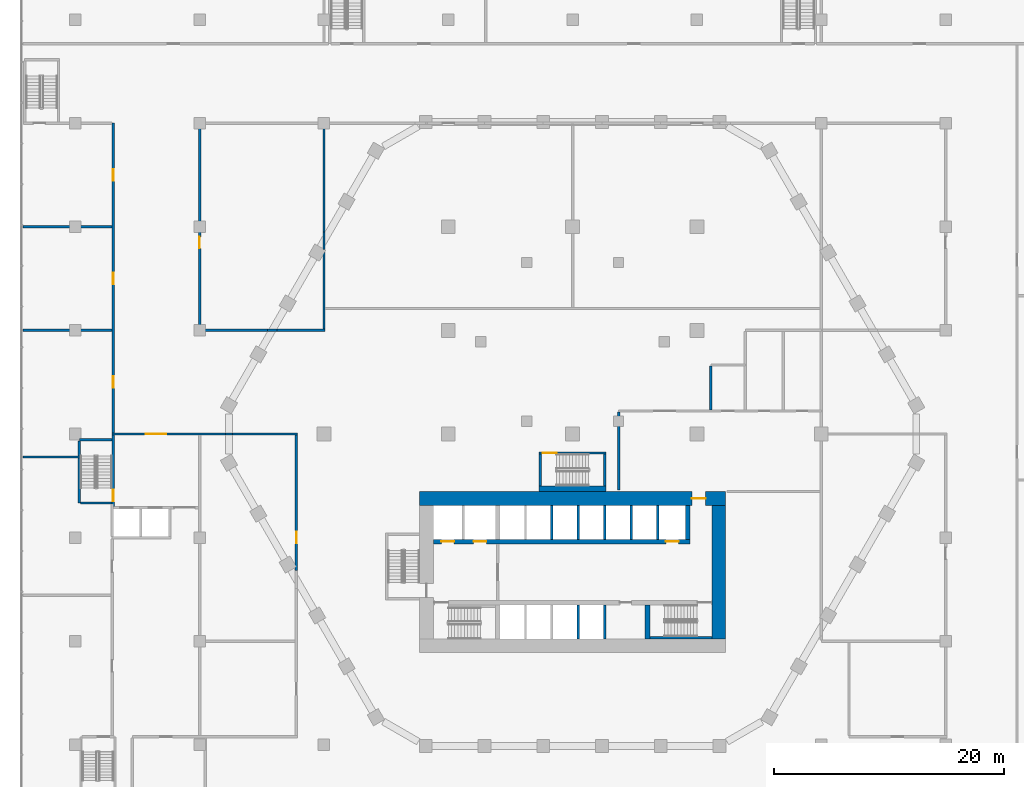
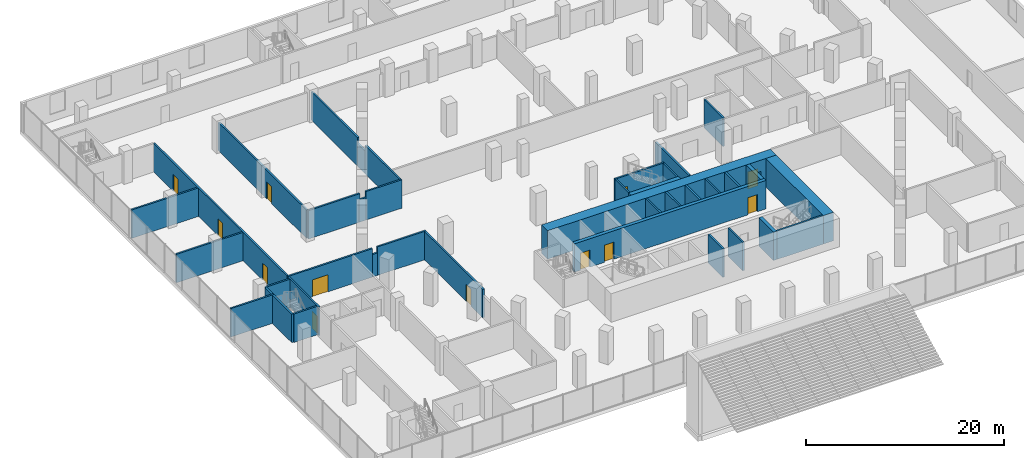
# One storey, part 15 of 45: 37 walls, 12 doors, 12 openings.
"""IFC4 building model written with IfcOpenShell, lengths in metres."""

from ifc_helpers import new_model, si_unit, direction, frame, frame_2d, origin, place, context, subcontext, project, spatial, rectangle, extrude, material, layer, layer_set, type_object, element, fill, save


model = new_model("IFC4")

# Units and contexts
model_context = context("Model", 3, precision=1e-05, world=origin(), true_north=direction((0.0, 1.0)))
body_context = subcontext(model_context, "Body", "Model", "MODEL_VIEW")
ifc_project = project(units=[si_unit("LENGTHUNIT", "METRE"), si_unit("AREAUNIT", "SQUARE_METRE"), si_unit("VOLUMEUNIT", "CUBIC_METRE"), si_unit("PLANEANGLEUNIT", "RADIAN"), si_unit("MASSUNIT", "GRAM", prefix="KILO")], contexts=[model_context])

# Site, building, storey
site_placement = place(None, origin())
site = spatial("IfcSite", under=ifc_project, at=site_placement, CompositionType="ELEMENT")
building_placement = place(site_placement, origin())
building = spatial("IfcBuilding", under=site, at=building_placement, Name="Beryl Residences", CompositionType="ELEMENT")
storey_placement = place(building_placement, frame((0.0, 0.0, 5.0)))
storey = spatial("IfcBuildingStorey", under=building, at=storey_placement, Name="L01", CompositionType="ELEMENT", Elevation=5.0)

# Walls
ifc_material_1 = material(Name="Double stud gypsum board wall")
ifc_layer_1 = layer(ifc_material_1, 0.199951171875)
ifc_layer_set_1 = layer_set([ifc_layer_1], Name="PT10 tenancy wall 200 mm")
wall_type_1 = type_object("IfcWallType", Name="PT10 tenancy wall 200 mm", PredefinedType="PARTITIONING", material=ifc_layer_set_1)
wall_1_placement = place(storey_placement, frame((-47.75, -2.0, 0.0), z_axis=(0.0, 0.0, 1.0), x_axis=(1.0, 0.0, 0.0)))
element("IfcWall", 1, at=wall_1_placement, inside=storey, type_object=wall_type_1, Name="Wall PT10 L01 007", PredefinedType="PARTITIONING", context=body_context, shape_type="SweptSolid", body=[
    extrude(rectangle(XDim=5.0, YDim=0.199951171875, at=frame_2d((2.5, 0.0))), origin(), (0.0, 0.0, 1.0), 3.5),
])
wall_2_placement = place(storey_placement, frame((-47.75, 9.0, 0.0), z_axis=(0.0, 0.0, 1.0), x_axis=(1.0, 0.0, 0.0)))
element("IfcWall", 2, at=wall_2_placement, inside=storey, type_object=wall_type_1, Name="Wall PT10 L01 011", PredefinedType="PARTITIONING", context=body_context, shape_type="SweptSolid", body=[
    extrude(rectangle(XDim=7.75, YDim=0.199951171875, at=frame_2d((3.875, 0.0))), origin(), (0.0, 0.0, 1.0), 3.5),
])
wall_3_placement = place(storey_placement, frame((-32.39990234375, 9.0, 0.0), z_axis=(0.0, 0.0, 1.0), x_axis=(1.0, 0.0, 0.0)))
element("IfcWall", 3, at=wall_3_placement, inside=storey, type_object=wall_type_1, Name="Wall PT10 L01 012", PredefinedType="PARTITIONING", context=body_context, shape_type="SweptSolid", body=[
    extrude(rectangle(XDim=5.9990234375, YDim=0.199951171875, at=frame_2d((2.99951171875, 0.0))), origin(), (0.0, 0.0, 1.0), 3.5),
])
wall_4_placement = place(storey_placement, frame((-26.5009765625, 9.0, 0.0), z_axis=(0.0, 0.0, 1.0), x_axis=(1.0, 0.0, 0.0)))
element("IfcWall", 4, at=wall_4_placement, inside=storey, type_object=wall_type_1, Name="Wall PT10 L01 013", PredefinedType="PARTITIONING", context=body_context, shape_type="SweptSolid", body=[
    extrude(rectangle(XDim=0.80908203125, YDim=0.199951171875, at=frame_2d((0.404541015625, 0.0))), origin(), (0.0, 0.0, 1.0), 2.77001953125),
])
wall_5_placement = place(storey_placement, frame((-25.69189453125, 9.0, 0.0), z_axis=(0.0, 0.0, 1.0), x_axis=(1.0, 0.0, 0.0)))
element("IfcWall", 5, at=wall_5_placement, inside=storey, type_object=wall_type_1, Name="Wall PT10 L01 014", PredefinedType="PARTITIONING", context=body_context, shape_type="SweptSolid", body=[
    extrude(rectangle(XDim=4.19189453125, YDim=0.199951171875, at=frame_2d((2.095947265625, 0.0))), origin(), (0.0, 0.0, 1.0), 3.5),
])
wall_6_placement = place(storey_placement, frame((-47.75, 18.0, 0.0), z_axis=(0.0, 0.0, 1.0), x_axis=(1.0, 0.0, 0.0)))
element("IfcWall", 6, at=wall_6_placement, inside=storey, type_object=wall_type_1, Name="Wall PT10 L01 017", PredefinedType="PARTITIONING", context=body_context, shape_type="SweptSolid", body=[
    extrude(rectangle(XDim=7.75, YDim=0.199951171875, at=frame_2d((3.875, 0.0))), origin(), (0.0, 0.0, 1.0), 3.5),
])

# Wall, opening, door
wall_7_placement = place(storey_placement, frame((-32.39990234375, 9.10009765625, 0.0), z_axis=(0.0, 0.0, 1.0), x_axis=(0.0, 1.0, 0.0)))
wall_7 = element("IfcWall", 7, at=wall_7_placement, inside=storey, type_object=wall_type_1, Name="Wall PT10 L01 033", PredefinedType="PARTITIONING", context=body_context, shape_type="SweptSolid", body=[
    extrude(rectangle(XDim=17.7998046875, YDim=0.199951171875, at=frame_2d((8.89990234375, 0.0))), origin(), (0.0, 0.0, 1.0), 3.5),
])
opening_1_placement = place(wall_7_placement, frame((8.02490234375, 0.0, 0.0), z_axis=(0.0, 0.0, 1.0), x_axis=(-1.0, 0.0, 0.0)))
opening_1 = element("IfcOpeningElement", 8, at=opening_1_placement, cuts=wall_7, Name="Opening L01-18", PredefinedType="OPENING", context=body_context, shape_type="SweptSolid", body=[
    extrude(rectangle(XDim=1.0, YDim=2.10009765625, at=frame_2d((0.5, 1.050048828125))), frame((0.0, 0.10986328125, 0.0), z_axis=(0.0, -1.0, 0.0), x_axis=(1.0, 0.0, 0.0)), (0.0, 0.0, 1.0), 0.219970703125),
])
ifc_material_2 = material(Name="Timber door leaf", Category="wood")
door_type_1 = type_object("IfcDoorType", Name="D9 corridor door 1000 x 2100 mm", OperationType="SINGLE_SWING_LEFT", PredefinedType="DOOR", material=ifc_material_2)
door_1_placement = place(opening_1_placement, origin())
door_1 = element("IfcDoor", 9, at=door_1_placement, inside=storey, type_object=door_type_1, Name="Door L01-18 L01 001", OperationType="SINGLE_SWING_LEFT", OverallHeight=2.10009765625, OverallWidth=1.0, PredefinedType="DOOR", context=body_context, shape_type="SweptSolid", body=[
    extrude(rectangle(XDim=1.0, YDim=2.10009765625, at=frame_2d((0.5, 1.050048828125))), frame((0.0, 0.02490234375, 0.0), z_axis=(0.0, -1.0, 0.0), x_axis=(1.0, 0.0, 0.0)), (0.0, 0.0, 1.0), 0.050048828125),
])
fill(opening_1, door_1)

wall_8_placement = place(storey_placement, frame((-24.0, -11.85791015625, 0.0), z_axis=(0.0, 0.0, 1.0), x_axis=(0.0, 1.0, 0.0)))
wall_8 = element("IfcWall", 10, at=wall_8_placement, inside=storey, type_object=wall_type_1, Name="Wall PT10 L01 037", PredefinedType="PARTITIONING", context=body_context, shape_type="SweptSolid", body=[
    extrude(rectangle(XDim=11.7578125, YDim=0.199951171875, at=frame_2d((5.87890625, 0.0))), origin(), (0.0, 0.0, 1.0), 3.5),
])
opening_2_placement = place(wall_8_placement, frame((2.35595703125, 0.0, 0.0)))
opening_2 = element("IfcOpeningElement", 11, at=opening_2_placement, cuts=wall_8, Name="Opening L01-11", PredefinedType="OPENING", context=body_context, shape_type="SweptSolid", body=[
    extrude(rectangle(XDim=1.0, YDim=2.10009765625, at=frame_2d((0.5, 1.050048828125))), frame((0.0, 0.10986328125, 0.0), z_axis=(0.0, -1.0, 0.0), x_axis=(1.0, 0.0, 0.0)), (0.0, 0.0, 1.0), 0.219970703125),
])
door_2_placement = place(opening_2_placement, origin())
door_2 = element("IfcDoor", 12, at=door_2_placement, inside=storey, type_object=door_type_1, Name="Door L01-11 L01 001", OperationType="SINGLE_SWING_LEFT", OverallHeight=2.10009765625, OverallWidth=1.0, PredefinedType="DOOR", context=body_context, shape_type="SweptSolid", body=[
    extrude(rectangle(XDim=1.0, YDim=2.10009765625, at=frame_2d((0.5, 1.050048828125))), frame((0.0, 0.02490234375, 0.0), z_axis=(0.0, -1.0, 0.0), x_axis=(1.0, 0.0, 0.0)), (0.0, 0.0, 1.0), 0.050048828125),
])
fill(opening_2, door_2)

# Walls
wall_9_placement = place(storey_placement, frame((-21.60009765625, 9.10009765625, 0.0), z_axis=(0.0, 0.0, 1.0), x_axis=(0.0, 1.0, 0.0)))
element("IfcWall", 13, at=wall_9_placement, inside=storey, type_object=wall_type_1, Name="Wall PT10 L01 038", PredefinedType="PARTITIONING", context=body_context, shape_type="SweptSolid", body=[
    extrude(rectangle(XDim=6.914794921875, YDim=0.199951171875, at=frame_2d((3.45751953125, 0.0))), origin(), (0.0, 0.0, 1.0), 3.5),
])
wall_10_placement = place(storey_placement, frame((-21.60009765625, 16.014892578125, 0.0), z_axis=(0.0, 0.0, 1.0), x_axis=(0.0, 1.0, 0.0)))
element("IfcWall", 14, at=wall_10_placement, inside=storey, type_object=wall_type_1, Name="Wall PT10 L01 039", PredefinedType="PARTITIONING", context=body_context, shape_type="SweptSolid", body=[
    extrude(rectangle(XDim=1.546142578125, YDim=0.199951171875, at=frame_2d((0.77294921875, 0.0))), origin(), (0.0, 0.0, 1.0), 2.77001953125),
])
wall_11_placement = place(storey_placement, frame((-21.60009765625, 17.56103515625, 0.0), z_axis=(0.0, 0.0, 1.0), x_axis=(0.0, 1.0, 0.0)))
element("IfcWall", 15, at=wall_11_placement, inside=storey, type_object=wall_type_1, Name="Wall PT10 L01 040", PredefinedType="PARTITIONING", context=body_context, shape_type="SweptSolid", body=[
    extrude(rectangle(XDim=9.3388671875, YDim=0.199951171875, at=frame_2d((4.66943359375, 0.0))), origin(), (0.0, 0.0, 1.0), 3.5),
])
ifc_material_3 = material(Name="Cement board with tiles")
ifc_layer_2 = layer(ifc_material_3, 0.199951171875)
ifc_layer_set_2 = layer_set([ifc_layer_2], Name="PT11-200 wet area wall 200 mm")
wall_type_2 = type_object("IfcWallType", Name="PT11-200 wet area wall 200 mm", PredefinedType="PARTITIONING", material=ifc_layer_set_2)
wall_12_placement = place(storey_placement, frame((12.0, 2.10009765625, 0.0), z_axis=(0.0, 0.0, 1.0), x_axis=(0.0, 1.0, 0.0)))
element("IfcWall", 16, at=wall_12_placement, inside=storey, type_object=wall_type_2, Name="Wall PT11-200 L01 006", PredefinedType="PARTITIONING", context=body_context, shape_type="SweptSolid", body=[
    extrude(rectangle(XDim=3.7998046875, YDim=0.199951171875, at=frame_2d((1.89990234375, 0.0))), origin(), (0.0, 0.0, 1.0), 3.5),
])

# Wall, opening, door
ifc_material_4 = material(Name="Double stud gypsum board wall")
ifc_layer_3 = layer(ifc_material_4, 0.199951171875)
ifc_layer_set_3 = layer_set([ifc_layer_3], Name="PT4 corridor wall 200 mm double stud")
wall_type_3 = type_object("IfcWallType", Name="PT4 corridor wall 200 mm double stud", PredefinedType="PARTITIONING", material=ifc_layer_set_3)
wall_13_placement = place(storey_placement, frame((-40.0, 0.0, 0.0), z_axis=(0.0, 0.0, 1.0), x_axis=(1.0, 0.0, 0.0)))
wall_13 = element("IfcWall", 17, at=wall_13_placement, inside=storey, type_object=wall_type_3, Name="Wall PT4 L01 003", PredefinedType="PARTITIONING", context=body_context, shape_type="SweptSolid", body=[
    extrude(rectangle(XDim=9.85107421875, YDim=0.199951171875, at=frame_2d((4.925537109375, 0.0))), origin(), (0.0, 0.0, 1.0), 3.5),
])
opening_3_placement = place(wall_13_placement, frame((2.902099609375, 0.0, 0.0)))
opening_3 = element("IfcOpeningElement", 18, at=opening_3_placement, cuts=wall_13, Name="Opening L01-26", PredefinedType="OPENING", context=body_context, shape_type="SweptSolid", body=[
    extrude(rectangle(XDim=1.800048828125, YDim=2.10009765625, at=frame_2d((0.89990234375, 1.050048828125))), frame((0.0, 0.10986328125, 0.0), z_axis=(0.0, -1.0, 0.0), x_axis=(1.0, 0.0, 0.0)), (0.0, 0.0, 1.0), 0.219970703125),
])
ifc_material_5 = material(Name="Timber door leaf", Category="wood")
door_type_2 = type_object("IfcDoorType", Name="D20 corridor door 1800 x 2100 mm", OperationType="DOUBLE_DOOR_SINGLE_SWING", PredefinedType="DOOR", material=ifc_material_5)
door_3_placement = place(opening_3_placement, origin())
door_3 = element("IfcDoor", 19, at=door_3_placement, inside=storey, type_object=door_type_2, Name="Door L01-26 L01 001", OperationType="DOUBLE_DOOR_SINGLE_SWING", OverallHeight=2.10009765625, OverallWidth=1.800048828125, PredefinedType="DOOR", context=body_context, shape_type="SweptSolid", body=[
    extrude(rectangle(XDim=1.800048828125, YDim=2.10009765625, at=frame_2d((0.89990234375, 1.050048828125))), frame((0.0, 0.02490234375, 0.0), z_axis=(0.0, -1.0, 0.0), x_axis=(1.0, 0.0, 0.0)), (0.0, 0.0, 1.0), 0.050048828125),
])
fill(opening_3, door_3)

# Walls
wall_14_placement = place(storey_placement, frame((-30.14892578125, 0.0, 0.0), z_axis=(0.0, 0.0, 1.0), x_axis=(1.0, 0.0, 0.0)))
element("IfcWall", 20, at=wall_14_placement, inside=storey, type_object=wall_type_3, Name="Wall PT4 L01 004", PredefinedType="PARTITIONING", context=body_context, shape_type="SweptSolid", body=[
    extrude(rectangle(XDim=0.600830078125, YDim=0.199951171875, at=frame_2d((0.30029296875, 0.0))), origin(), (0.0, 0.0, 1.0), 2.77001953125),
])
wall_15_placement = place(storey_placement, frame((-29.548095703125, 0.0, 0.0), z_axis=(0.0, 0.0, 1.0), x_axis=(1.0, 0.0, 0.0)))
element("IfcWall", 21, at=wall_15_placement, inside=storey, type_object=wall_type_3, Name="Wall PT4 L01 005", PredefinedType="PARTITIONING", context=body_context, shape_type="SweptSolid", body=[
    extrude(rectangle(XDim=5.648193359375, YDim=0.199951171875, at=frame_2d((2.82421875, 0.0))), origin(), (0.0, 0.0, 1.0), 3.5),
])
wall_16_placement = place(storey_placement, frame((4.0, -4.8798828125, 0.0), z_axis=(0.0, 0.0, 1.0), x_axis=(0.0, 1.0, 0.0)))
element("IfcWall", 22, at=wall_16_placement, inside=storey, type_object=wall_type_3, Name="Wall PT4 L01 008", PredefinedType="PARTITIONING", context=body_context, shape_type="SweptSolid", body=[
    extrude(rectangle(XDim=6.77978515625, YDim=0.199951171875, at=frame_2d((3.389892578125, 0.0))), origin(), (0.0, 0.0, 1.0), 3.5),
])

# Wall, opening, door
ifc_material_6 = material(Name="Concrete C40/50", Category="concrete")
ifc_layer_4 = layer(ifc_material_6, 0.199951171875)
ifc_layer_set_4 = layer_set([ifc_layer_4], Name="PT5 stair enclosure wall 200 mm reinforced concrete C40/50")
wall_type_4 = type_object("IfcWallType", Name="PT5 stair enclosure wall 200 mm reinforced concrete C40/50", PredefinedType="SOLIDWALL", material=ifc_layer_set_4)
wall_17_placement = place(storey_placement, frame((-2.89990234375, -1.64990234375, 0.0), z_axis=(0.0, 0.0, 1.0), x_axis=(1.0, 0.0, 0.0)))
wall_17 = element("IfcWall", 23, at=wall_17_placement, inside=storey, type_object=wall_type_4, Name="Wall PT5 L01 001", PredefinedType="SOLIDWALL", context=body_context, shape_type="SweptSolid", body=[
    extrude(rectangle(XDim=5.7998046875, YDim=0.199951171875, at=frame_2d((2.89990234375, 0.0))), origin(), (0.0, 0.0, 1.0), 3.5),
])
opening_4_placement = place(wall_17_placement, frame((0.300048828125, 0.0, 0.0)))
opening_4 = element("IfcOpeningElement", 24, at=opening_4_placement, cuts=wall_17, Name="Opening DS04", PredefinedType="OPENING", context=body_context, shape_type="SweptSolid", body=[
    extrude(rectangle(XDim=1.199951171875, YDim=2.10009765625, at=frame_2d((0.60009765625, 1.050048828125))), frame((0.0, 0.10986328125, 0.0), z_axis=(0.0, -1.0, 0.0), x_axis=(1.0, 0.0, 0.0)), (0.0, 0.0, 1.0), 0.219970703125),
])
ifc_material_7 = material(Name="Steel door leaf in steel frame", Category="steel")
door_type_3 = type_object("IfcDoorType", Name="D4 stair door 1200 x 2100 mm", OperationType="SINGLE_SWING_LEFT", PredefinedType="DOOR", material=ifc_material_7)
door_4_placement = place(opening_4_placement, origin())
door_4 = element("IfcDoor", 25, at=door_4_placement, inside=storey, type_object=door_type_3, Name="Door DS04 L01 001", OperationType="SINGLE_SWING_LEFT", OverallHeight=2.10009765625, OverallWidth=1.199951171875, PredefinedType="DOOR", context=body_context, shape_type="SweptSolid", body=[
    extrude(rectangle(XDim=1.199951171875, YDim=2.10009765625, at=frame_2d((0.60009765625, 1.050048828125))), frame((0.0, 0.02490234375, 0.0), z_axis=(0.0, -1.0, 0.0), x_axis=(1.0, 0.0, 0.0)), (0.0, 0.0, 1.0), 0.050048828125),
])
fill(opening_4, door_4)

# Walls
for number, where, z_axis, x_axis, name in (
    (26, (-2.800048828125, -4.5, 0.0), (0.0, 0.0, 1.0), (0.0, 1.0, 0.0), "Wall PT5 L01 002"),
    (27, (2.800048828125, -4.5, 0.0), (0.0, 0.0, 1.0), (0.0, 1.0, 0.0), "Wall PT5 L01 003"),
    (28, (-42.75, -6.0, 0.0), (0.0, 0.0, 1.0), (1.0, 0.0, 0.0), "Wall PT5 L01 005"),
):
    element("IfcWall", number, at=place(storey_placement, frame(where, z_axis=z_axis, x_axis=x_axis)), inside=storey, type_object=wall_type_4, Name=name, PredefinedType="SOLIDWALL", context=body_context, shape_type="SweptSolid", body=[
        extrude(rectangle(XDim=2.75, YDim=0.199951171875, at=frame_2d((1.375, 0.0))), origin(), (0.0, 0.0, 1.0), 3.5),
    ])
wall_18_placement = place(storey_placement, frame((-42.85009765625, -0.5, 0.0), z_axis=(0.0, 0.0, 1.0), x_axis=(1.0, 0.0, 0.0)))
element("IfcWall", 29, at=wall_18_placement, inside=storey, type_object=wall_type_4, Name="Wall PT5 L01 006", PredefinedType="SOLIDWALL", context=body_context, shape_type="SweptSolid", body=[
    extrude(rectangle(XDim=2.85009765625, YDim=0.199951171875, at=frame_2d((1.425048828125, 0.0))), origin(), (0.0, 0.0, 1.0), 3.5),
])
wall_19_placement = place(storey_placement, frame((-42.85009765625, -6.0, 0.0), z_axis=(0.0, 0.0, 1.0), x_axis=(0.0, 1.0, 0.0)))
element("IfcWall", 30, at=wall_19_placement, inside=storey, type_object=wall_type_4, Name="Wall PT5 L01 013", PredefinedType="SOLIDWALL", context=body_context, shape_type="SweptSolid", body=[
    extrude(rectangle(XDim=5.39990234375, YDim=0.199951171875, at=frame_2d((2.699951171875, 0.0))), origin(), (0.0, 0.0, 1.0), 3.5),
])

# Wall, openings, doors
wall_20_placement = place(storey_placement, frame((-39.89990234375, -6.300048828125, 0.0), z_axis=(0.0, 0.0, 1.0), x_axis=(0.0, 1.0, 0.0)))
wall_20 = element("IfcWall", 31, at=wall_20_placement, inside=storey, type_object=wall_type_4, Name="Wall PT5 L01 015", PredefinedType="SOLIDWALL", context=body_context, shape_type="SweptSolid", body=[
    extrude(rectangle(XDim=33.300048828125, YDim=0.199951171875, at=frame_2d((16.64990234375, 0.0))), origin(), (0.0, 0.0, 1.0), 3.5),
])
opening_5_placement = place(wall_20_placement, frame((10.302001953125, 0.0, 0.0)))
opening_5 = element("IfcOpeningElement", 32, at=opening_5_placement, cuts=wall_20, Name="Opening L01-03", PredefinedType="OPENING", context=body_context, shape_type="SweptSolid", body=[
    extrude(rectangle(XDim=1.0, YDim=2.10009765625, at=frame_2d((0.5, 1.050048828125))), frame((0.0, 0.10986328125, 0.0), z_axis=(0.0, -1.0, 0.0), x_axis=(1.0, 0.0, 0.0)), (0.0, 0.0, 1.0), 0.219970703125),
])
opening_6_placement = place(wall_20_placement, frame((28.298095703125, 0.0, 0.0)))
opening_6 = element("IfcOpeningElement", 33, at=opening_6_placement, cuts=wall_20, Name="Opening L01-04", PredefinedType="OPENING", context=body_context, shape_type="SweptSolid", body=[
    extrude(rectangle(XDim=1.0, YDim=2.10009765625, at=frame_2d((0.5, 1.050048828125))), frame((0.0, 0.10986328125, 0.0), z_axis=(0.0, -1.0, 0.0), x_axis=(1.0, 0.0, 0.0)), (0.0, 0.0, 1.0), 0.219970703125),
])
opening_7_placement = place(wall_20_placement, frame((19.300048828125, 0.0, 0.0)))
opening_7 = element("IfcOpeningElement", 34, at=opening_7_placement, cuts=wall_20, Name="Opening L01-05", PredefinedType="OPENING", context=body_context, shape_type="SweptSolid", body=[
    extrude(rectangle(XDim=1.0, YDim=2.10009765625, at=frame_2d((0.5, 1.050048828125))), frame((0.0, 0.10986328125, 0.0), z_axis=(0.0, -1.0, 0.0), x_axis=(1.0, 0.0, 0.0)), (0.0, 0.0, 1.0), 0.219970703125),
])
opening_8_placement = place(wall_20_placement, frame((0.449951171875, 0.0, 0.0)))
opening_8 = element("IfcOpeningElement", 35, at=opening_8_placement, cuts=wall_20, Name="Opening L01-27", PredefinedType="OPENING", context=body_context, shape_type="SweptSolid", body=[
    extrude(rectangle(XDim=1.0, YDim=2.10009765625, at=frame_2d((0.5, 1.050048828125))), frame((0.0, 0.10986328125, 0.0), z_axis=(0.0, -1.0, 0.0), x_axis=(1.0, 0.0, 0.0)), (0.0, 0.0, 1.0), 0.219970703125),
])
ifc_material_8 = material(Name="Steel door leaf in steel frame", Category="steel")
door_type_4 = type_object("IfcDoorType", Name="D15 stair door 1000 x 2100 mm", OperationType="SINGLE_SWING_LEFT", PredefinedType="DOOR", material=ifc_material_8)
door_5_placement = place(opening_8_placement, origin())
door_5 = element("IfcDoor", 36, at=door_5_placement, inside=storey, type_object=door_type_4, Name="Door L01-27 L01 001", OperationType="SINGLE_SWING_LEFT", OverallHeight=2.10009765625, OverallWidth=1.0, PredefinedType="DOOR", context=body_context, shape_type="SweptSolid", body=[
    extrude(rectangle(XDim=1.0, YDim=2.10009765625, at=frame_2d((0.5, 1.050048828125))), frame((0.0, 0.02490234375, 0.0), z_axis=(0.0, -1.0, 0.0), x_axis=(1.0, 0.0, 0.0)), (0.0, 0.0, 1.0), 0.050048828125),
])
fill(opening_8, door_5)
door_6_placement = place(opening_5_placement, origin())
door_6 = element("IfcDoor", 37, at=door_6_placement, inside=storey, type_object=door_type_1, Name="Door L01-03 L01 001", OperationType="SINGLE_SWING_LEFT", OverallHeight=2.10009765625, OverallWidth=1.0, PredefinedType="DOOR", context=body_context, shape_type="SweptSolid", body=[
    extrude(rectangle(XDim=1.0, YDim=2.10009765625, at=frame_2d((0.5, 1.050048828125))), frame((0.0, 0.02490234375, 0.0), z_axis=(0.0, -1.0, 0.0), x_axis=(1.0, 0.0, 0.0)), (0.0, 0.0, 1.0), 0.050048828125),
])
fill(opening_5, door_6)
door_7_placement = place(opening_6_placement, origin())
door_7 = element("IfcDoor", 38, at=door_7_placement, inside=storey, type_object=door_type_1, Name="Door L01-04 L01 001", OperationType="SINGLE_SWING_RIGHT", OverallHeight=2.10009765625, OverallWidth=1.0, PredefinedType="DOOR", context=body_context, shape_type="SweptSolid", body=[
    extrude(rectangle(XDim=1.0, YDim=2.10009765625, at=frame_2d((0.5, 1.050048828125))), frame((0.0, 0.02490234375, 0.0), z_axis=(0.0, -1.0, 0.0), x_axis=(1.0, 0.0, 0.0)), (0.0, 0.0, 1.0), 0.050048828125),
])
fill(opening_6, door_7)
door_8_placement = place(opening_7_placement, origin())
door_8 = element("IfcDoor", 39, at=door_8_placement, inside=storey, type_object=door_type_1, Name="Door L01-05 L01 001", OperationType="SINGLE_SWING_LEFT", OverallHeight=2.10009765625, OverallWidth=1.0, PredefinedType="DOOR", context=body_context, shape_type="SweptSolid", body=[
    extrude(rectangle(XDim=1.0, YDim=2.10009765625, at=frame_2d((0.5, 1.050048828125))), frame((0.0, 0.02490234375, 0.0), z_axis=(0.0, -1.0, 0.0), x_axis=(1.0, 0.0, 0.0)), (0.0, 0.0, 1.0), 0.050048828125),
])
fill(opening_7, door_8)

# Walls
wall_21_placement = place(storey_placement, frame((6.699951171875, -17.699951171875, 0.0), z_axis=(0.0, 0.0, 1.0), x_axis=(1.0, 0.0, 0.0)))
element("IfcWall", 40, at=wall_21_placement, inside=storey, type_object=wall_type_4, Name="Stair wall 16", PredefinedType="SOLIDWALL", context=body_context, shape_type="SweptSolid", body=[
    extrude(rectangle(XDim=5.400146484375, YDim=0.199951171875, at=frame_2d((2.7001953125, 0.0))), origin(), (0.0, 0.0, 1.0), 3.5),
])
ifc_material_9 = material(Name="Concrete C40/50", Category="concrete")
ifc_layer_5 = layer(ifc_material_9, 0.5)
ifc_layer_set_5 = layer_set([ifc_layer_5], Name="PT5-500 stair enclosure wall 500 mm")
wall_type_5 = type_object("IfcWallType", Name="PT5-500 stair enclosure wall 500 mm", PredefinedType="SOLIDWALL", material=ifc_layer_set_5)
wall_22_placement = place(storey_placement, frame((-2.89990234375, -4.75, 0.0), z_axis=(0.0, 0.0, 1.0), x_axis=(1.0, 0.0, 0.0)))
element("IfcWall", 41, at=wall_22_placement, inside=storey, type_object=wall_type_5, Name="Wall PT5-500 L01 001", PredefinedType="SOLIDWALL", context=body_context, shape_type="SweptSolid", body=[
    extrude(rectangle(XDim=5.7998046875, YDim=0.5, at=frame_2d((2.89990234375, 0.0))), origin(), (0.0, 0.0, 1.0), 3.5),
])
ifc_material_10 = material(Name="Concrete C40/50", Category="concrete")
ifc_layer_6 = layer(ifc_material_10, 0.199951171875)
ifc_layer_set_6 = layer_set([ifc_layer_6], Name="PT6 lift shaft wall 200 mm reinforced concrete C40/50")
wall_type_6 = type_object("IfcWallType", Name="PT6 lift shaft wall 200 mm reinforced concrete C40/50", PredefinedType="SOLIDWALL", material=ifc_layer_set_6)
for number, where, z_axis, x_axis, name in (
    (42, (-1.800048828125, -9.14990234375, 0.0), (0.0, 0.0, 1.0), (0.0, 1.0, 0.0), "Lift shaft wall 10"),
    (43, (0.5, -17.800048828125, 0.0), (0.0, 0.0, 1.0), (0.0, 1.0, 0.0), "Lift shaft wall 11"),
    (44, (0.5, -9.14990234375, 0.0), (0.0, 0.0, 1.0), (0.0, 1.0, 0.0), "Lift shaft wall 12"),
    (45, (2.800048828125, -17.800048828125, 0.0), (0.0, 0.0, 1.0), (0.0, 1.0, 0.0), "Lift shaft wall 13"),
    (46, (2.800048828125, -9.14990234375, 0.0), (0.0, 0.0, 1.0), (0.0, 1.0, 0.0), "Lift shaft wall 14"),
    (47, (5.10009765625, -9.14990234375, 0.0), (0.0, 0.0, 1.0), (0.0, 1.0, 0.0), "Lift shaft wall 15"),
    (48, (7.39990234375, -9.14990234375, 0.0), (0.0, 0.0, 1.0), (0.0, 1.0, 0.0), "Lift shaft wall 17"),
):
    element("IfcWall", number, at=place(storey_placement, frame(where, z_axis=z_axis, x_axis=x_axis)), inside=storey, type_object=wall_type_6, Name=name, PredefinedType="SOLIDWALL", context=body_context, shape_type="SweptSolid", body=[
        extrude(rectangle(XDim=2.949951171875, YDim=0.199951171875, at=frame_2d((1.47509765625, 0.0))), origin(), (0.0, 0.0, 1.0), 3.5),
    ])

# Wall, opening, door
ifc_material_11 = material(Name="Concrete C80/95", Category="concrete")
ifc_layer_7 = layer(ifc_material_11, 1.199951171875)
ifc_layer_set_7 = layer_set([ifc_layer_7], Name="SW1 core outer wall 1200 mm C80/95")
wall_type_7 = type_object("IfcWallType", Name="SW1 core outer wall 1200 mm C80/95", PredefinedType="SHEAR", material=ifc_layer_set_7)
wall_23_placement = place(storey_placement, frame((-13.300048828125, -5.60009765625, 0.0), z_axis=(0.0, 0.0, 1.0), x_axis=(1.0, 0.0, 0.0)))
wall_23 = element("IfcWall", 49, at=wall_23_placement, inside=storey, type_object=wall_type_7, Name="Core wall N L01", PredefinedType="SHEAR", context=body_context, shape_type="SweptSolid", body=[
    extrude(rectangle(XDim=26.60009765625, YDim=1.199951171875, at=frame_2d((13.300048828125, 0.0))), origin(), (0.0, 0.0, 1.0), 3.5),
])
opening_9_placement = place(wall_23_placement, frame((23.64990234375, 0.0, 0.0)))
opening_9 = element("IfcOpeningElement", 50, at=opening_9_placement, cuts=wall_23, Name="Opening FD-NORTH", PredefinedType="OPENING", context=body_context, shape_type="SweptSolid", body=[
    extrude(rectangle(XDim=1.199951171875, YDim=2.10009765625, at=frame_2d((0.60009765625, 1.050048828125))), frame((0.0, 0.60986328125, 0.0), z_axis=(0.0, -1.0, 0.0), x_axis=(1.0, 0.0, 0.0)), (0.0, 0.0, 1.0), 1.219970703125),
])
ifc_material_12 = material(Name="Steel door leaf in steel frame", Category="steel")
door_type_5 = type_object("IfcDoorType", Name="D22 lobby door 1200 x 2100 mm", OperationType="DOUBLE_DOOR_SINGLE_SWING", PredefinedType="DOOR", material=ifc_material_12)
door_9_placement = place(opening_9_placement, origin())
door_9 = element("IfcDoor", 51, at=door_9_placement, inside=storey, type_object=door_type_5, Name="Door FD-NORTH L01 001", OperationType="DOUBLE_DOOR_SINGLE_SWING", OverallHeight=2.10009765625, OverallWidth=1.199951171875, PredefinedType="DOOR", context=body_context, shape_type="SweptSolid", body=[
    extrude(rectangle(XDim=1.199951171875, YDim=2.10009765625, at=frame_2d((0.60009765625, 1.050048828125))), frame((0.0, 0.02490234375, 0.0), z_axis=(0.0, -1.0, 0.0), x_axis=(1.0, 0.0, 0.0)), (0.0, 0.0, 1.0), 0.050048828125),
])
fill(opening_9, door_9)

# Wall
wall_24_placement = place(storey_placement, frame((12.699951171875, -17.800048828125, 0.0), z_axis=(0.0, 0.0, 1.0), x_axis=(0.0, 1.0, 0.0)))
element("IfcWall", 52, at=wall_24_placement, inside=storey, type_object=wall_type_7, Name="Core wall E L01", PredefinedType="SHEAR", context=body_context, shape_type="SweptSolid", body=[
    extrude(rectangle(XDim=11.60009765625, YDim=1.199951171875, at=frame_2d((5.800048828125, 0.0))), origin(), (0.0, 0.0, 1.0), 3.5),
])

# Wall, openings, doors
ifc_material_13 = material(Name="Concrete C80/95", Category="concrete")
ifc_layer_8 = layer(ifc_material_13, 0.39990234375)
ifc_layer_set_8 = layer_set([ifc_layer_8], Name="SW6 core internal wall 400 mm C80/95")
wall_type_8 = type_object("IfcWallType", Name="SW6 core internal wall 400 mm C80/95", PredefinedType="SHEAR", material=ifc_layer_set_8)
wall_25_placement = place(storey_placement, frame((-12.10009765625, -9.35009765625, 0.0), z_axis=(0.0, 0.0, 1.0), x_axis=(1.0, 0.0, 0.0)))
wall_25 = element("IfcWall", 53, at=wall_25_placement, inside=storey, type_object=wall_type_8, Name="Core wall SP2 L01", PredefinedType="SHEAR", context=body_context, shape_type="SweptSolid", body=[
    extrude(rectangle(XDim=22.300048828125, YDim=0.39990234375, at=frame_2d((11.14990234375, 0.0))), origin(), (0.0, 0.0, 1.0), 3.5),
])
opening_10_placement = place(wall_25_placement, frame((0.699951171875, 0.0, 0.0)))
opening_10 = element("IfcOpeningElement", 54, at=opening_10_placement, cuts=wall_25, Name="Opening LD-FF1", PredefinedType="OPENING", context=body_context, shape_type="SweptSolid", body=[
    extrude(rectangle(XDim=1.10009765625, YDim=2.10009765625, at=frame_2d((0.550048828125, 1.050048828125))), frame((0.0, 0.2099609375, 0.0), z_axis=(0.0, -1.0, 0.0), x_axis=(1.0, 0.0, 0.0)), (0.0, 0.0, 1.0), 0.419921875),
])
opening_11_placement = place(wall_25_placement, frame((3.5, 0.0, 0.0)))
opening_11 = element("IfcOpeningElement", 55, at=opening_11_placement, cuts=wall_25, Name="Opening LD-FF2", PredefinedType="OPENING", context=body_context, shape_type="SweptSolid", body=[
    extrude(rectangle(XDim=1.10009765625, YDim=2.10009765625, at=frame_2d((0.550048828125, 1.050048828125))), frame((0.0, 0.2099609375, 0.0), z_axis=(0.0, -1.0, 0.0), x_axis=(1.0, 0.0, 0.0)), (0.0, 0.0, 1.0), 0.419921875),
])
opening_12_placement = place(wall_25_placement, frame((20.199951171875, 0.0, 0.0)))
opening_12 = element("IfcOpeningElement", 56, at=opening_12_placement, cuts=wall_25, Name="Opening LD-SL1", PredefinedType="OPENING", context=body_context, shape_type="SweptSolid", body=[
    extrude(rectangle(XDim=1.10009765625, YDim=2.10009765625, at=frame_2d((0.550048828125, 1.050048828125))), frame((0.0, 0.2099609375, 0.0), z_axis=(0.0, -1.0, 0.0), x_axis=(1.0, 0.0, 0.0)), (0.0, 0.0, 1.0), 0.419921875),
])
ifc_material_14 = material(Name="Stainless steel sliding door", Category="steel")
door_type_6 = type_object("IfcDoorType", Name="LD1 lift landing door 1100 x 2100 mm", OperationType="DOUBLE_DOOR_SLIDING", PredefinedType="DOOR", material=ifc_material_14)
door_10_placement = place(opening_10_placement, origin())
door_10 = element("IfcDoor", 57, at=door_10_placement, inside=storey, type_object=door_type_6, Name="Lift landing door FF1", OperationType="DOUBLE_DOOR_SLIDING", OverallHeight=2.10009765625, OverallWidth=1.10009765625, PredefinedType="DOOR", context=body_context, shape_type="SweptSolid", body=[
    extrude(rectangle(XDim=1.10009765625, YDim=2.10009765625, at=frame_2d((0.550048828125, 1.050048828125))), frame((0.0, 0.02490234375, 0.0), z_axis=(0.0, -1.0, 0.0), x_axis=(1.0, 0.0, 0.0)), (0.0, 0.0, 1.0), 0.050048828125),
])
fill(opening_10, door_10)
door_11_placement = place(opening_11_placement, origin())
door_11 = element("IfcDoor", 58, at=door_11_placement, inside=storey, type_object=door_type_6, Name="Lift landing door FF2", OperationType="DOUBLE_DOOR_SLIDING", OverallHeight=2.10009765625, OverallWidth=1.10009765625, PredefinedType="DOOR", context=body_context, shape_type="SweptSolid", body=[
    extrude(rectangle(XDim=1.10009765625, YDim=2.10009765625, at=frame_2d((0.550048828125, 1.050048828125))), frame((0.0, 0.02490234375, 0.0), z_axis=(0.0, -1.0, 0.0), x_axis=(1.0, 0.0, 0.0)), (0.0, 0.0, 1.0), 0.050048828125),
])
fill(opening_11, door_11)
door_12_placement = place(opening_12_placement, origin())
door_12 = element("IfcDoor", 59, at=door_12_placement, inside=storey, type_object=door_type_6, Name="Lift landing door SL1", OperationType="DOUBLE_DOOR_SLIDING", OverallHeight=2.10009765625, OverallWidth=1.10009765625, PredefinedType="DOOR", context=body_context, shape_type="SweptSolid", body=[
    extrude(rectangle(XDim=1.10009765625, YDim=2.10009765625, at=frame_2d((0.550048828125, 1.050048828125))), frame((0.0, 0.02490234375, 0.0), z_axis=(0.0, -1.0, 0.0), x_axis=(1.0, 0.0, 0.0)), (0.0, 0.0, 1.0), 0.050048828125),
])
fill(opening_12, door_12)

# Walls
for number, where, z_axis, x_axis, name in (
    (60, (6.5, -17.800048828125, 0.0), (0.0, 0.0, 1.0), (0.0, 1.0, 0.0), "Core wall XS2 L01"),
    (61, (10.0, -9.14990234375, 0.0), (0.0, 0.0, 1.0), (0.0, 1.0, 0.0), "Core wall XN2 L01"),
):
    element("IfcWall", number, at=place(storey_placement, frame(where, z_axis=z_axis, x_axis=x_axis)), inside=storey, type_object=wall_type_8, Name=name, PredefinedType="SHEAR", context=body_context, shape_type="SweptSolid", body=[
        extrude(rectangle(XDim=2.949951171875, YDim=0.39990234375, at=frame_2d((1.47509765625, 0.0))), origin(), (0.0, 0.0, 1.0), 3.5),
    ])

save(model, "model.ifc")
